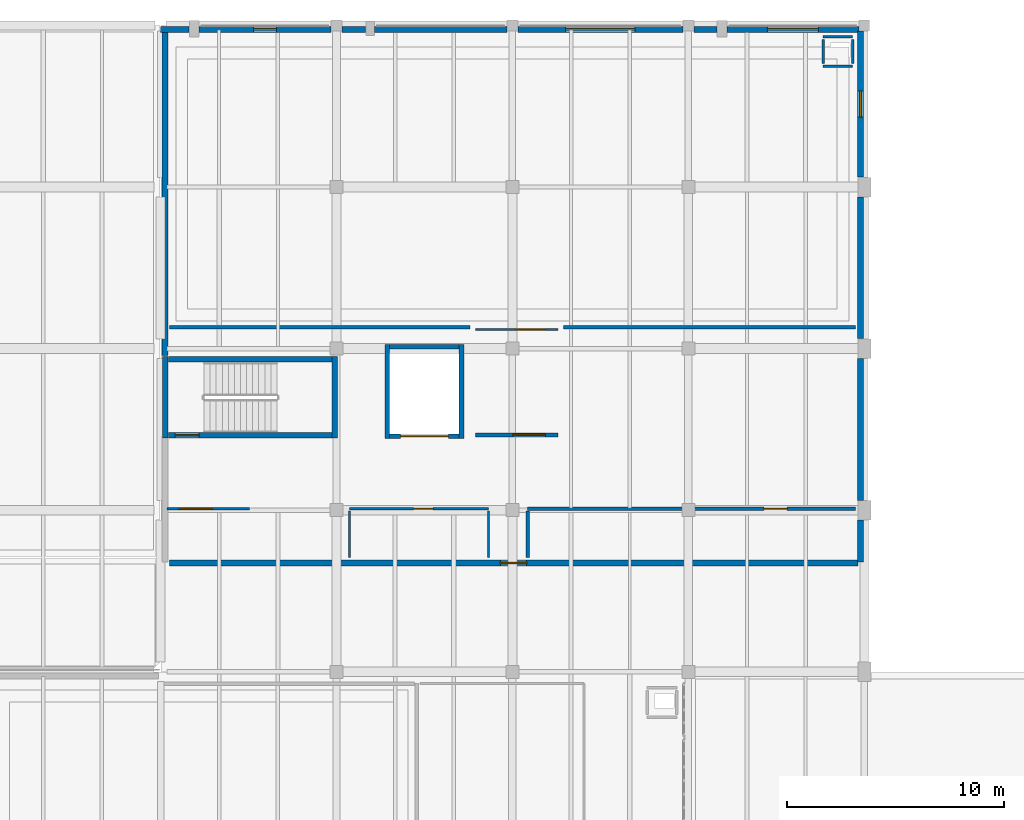
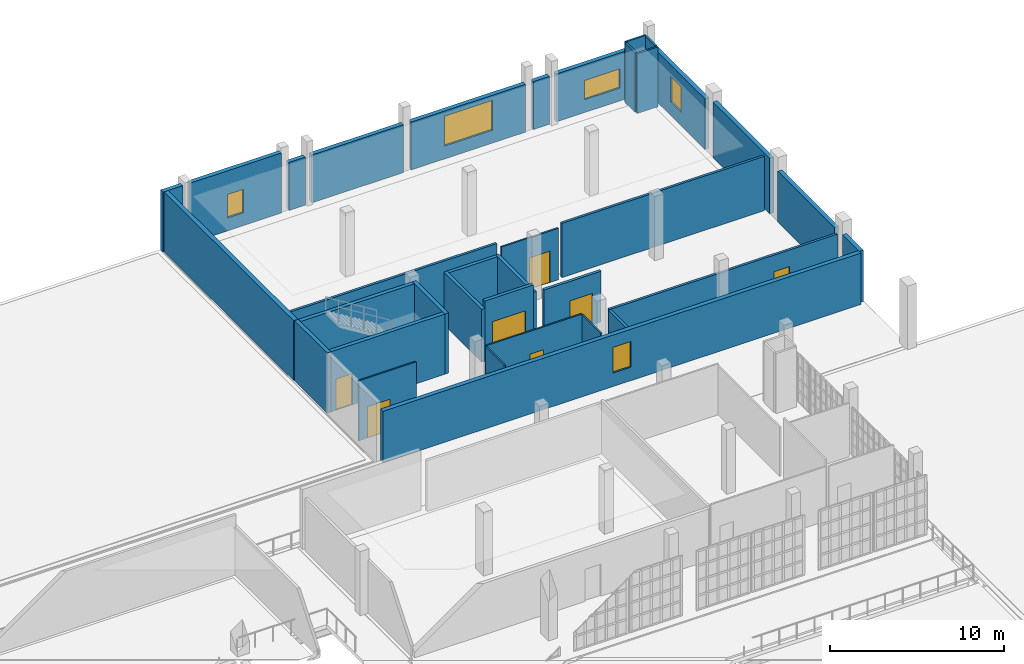
# One storey, part 63 of 73: 35 walls, 7 doors, 5 windows, 12 openings.
"""IFC4 building model written with IfcOpenShell, lengths in metres."""

from ifc_helpers import new_model, si_unit, direction, frame, frame_2d, origin, place, context, subcontext, project, spatial, rectangle, extrude, material, layer, layer_set, type_object, element, fill, save


model = new_model("IFC4")

# Units and contexts
model_context = context("Model", 3, precision=1e-05, world=origin(), true_north=direction((0.0, 1.0)))
body_context = subcontext(model_context, "Body", "Model", "MODEL_VIEW")
ifc_project = project(units=[si_unit("LENGTHUNIT", "METRE"), si_unit("AREAUNIT", "SQUARE_METRE"), si_unit("VOLUMEUNIT", "CUBIC_METRE"), si_unit("PLANEANGLEUNIT", "RADIAN"), si_unit("MASSUNIT", "GRAM", prefix="KILO")], contexts=[model_context])

# Site, building, storey
site_placement = place(None, origin())
site = spatial("IfcSite", under=ifc_project, at=site_placement, CompositionType="ELEMENT")
building_placement = place(site_placement, origin())
building = spatial("IfcBuilding", under=site, at=building_placement, Name="Kaelora Sail Theatre", CompositionType="ELEMENT")
storey_placement = place(building_placement, frame((0.0, 0.0, 10.199951171875)))
storey = spatial("IfcBuildingStorey", under=building, at=storey_placement, Name="L02", CompositionType="ELEMENT", Elevation=10.199951171875)

# Wall, opening, door
ifc_material_1 = material(Name="Concrete C40/50", Category="concrete")
ifc_layer_1 = layer(ifc_material_1, 0.25)
ifc_layer_set_1 = layer_set([ifc_layer_1], Name="Concrete C40/50")
wall_type_1 = type_object("IfcWallType", Name="ARC-WL-CW-250", PredefinedType="SHEAR", material=ifc_layer_set_1)
wall_1_placement = place(storey_placement, frame((99.054931640625, 94.22509765625, 0.0), z_axis=(0.0, 0.0, 1.0), x_axis=(1.0, 0.0, 0.0)))
wall_1 = element("IfcWall", 1, at=wall_1_placement, inside=storey, type_object=wall_type_1, Name="Stair shaft ST-K4 wall L02-S", PredefinedType="SHEAR", context=body_context, shape_type="SweptSolid", body=[
    extrude(rectangle(XDim=7.5400390625, YDim=0.25, at=frame_2d((3.77001953125, 0.0))), origin(), (0.0, 0.0, 1.0), 4.22509765625),
])
opening_1_placement = place(wall_1_placement, frame((0.320068359375, 0.0, 0.0)))
opening_1 = element("IfcOpeningElement", 2, at=opening_1_placement, cuts=wall_1, Name="Opening FD-02", PredefinedType="OPENING", context=body_context, shape_type="SweptSolid", body=[
    extrude(rectangle(XDim=1.10009765625, YDim=2.199951171875, at=frame_2d((0.550048828125, 1.10009765625))), frame((0.0, 0.135, 0.0), z_axis=(0.0, -1.0, 0.0), x_axis=(1.0, 0.0, 0.0)), (0.0, 0.0, 1.0), 0.27),
])
ifc_material_2 = material(Name="Acoustic steel single stair/lobby fire door EI 90-C", Category="steel")
door_type_1 = type_object("IfcDoorType", Name="ARC-DR-FD-02", OperationType="NOTDEFINED", PredefinedType="DOOR", material=ifc_material_2)
door_1_placement = place(opening_1_placement, origin())
door_1 = element("IfcDoor", 3, at=door_1_placement, inside=storey, type_object=door_type_1, Name="Stair ST-K4 door (L02)", OperationType="SINGLE_SWING_LEFT", OverallHeight=2.199951171875, OverallWidth=1.10009765625, PredefinedType="DOOR", context=body_context, shape_type="SweptSolid", body=[
    extrude(rectangle(XDim=1.10009765625, YDim=2.199951171875, at=frame_2d((0.550048828125, 1.10009765625))), frame((0.0, 0.02490234375, 0.0), z_axis=(0.0, -1.0, 0.0), x_axis=(1.0, 0.0, 0.0)), (0.0, 0.0, 1.0), 0.050048828125),
])
fill(opening_1, door_1)

# Walls
wall_2_placement = place(storey_placement, frame((99.054931640625, 97.72509765625, 0.0), z_axis=(0.0, 0.0, 1.0), x_axis=(1.0, 0.0, 0.0)))
element("IfcWall", 4, at=wall_2_placement, inside=storey, type_object=wall_type_1, Name="Stair shaft ST-K4 wall L02-N", PredefinedType="SHEAR", context=body_context, shape_type="SweptSolid", body=[
    extrude(rectangle(XDim=7.5400390625, YDim=0.25, at=frame_2d((3.77001953125, 0.0))), origin(), (0.0, 0.0, 1.0), 4.22509765625),
])
for number, where, z_axis, x_axis, name in (
    (5, (98.925048828125, 94.10009765625, 0.0), (0.0, 0.0, 1.0), (0.0, 1.0, 0.0), "Stair shaft ST-K4 wall L02-W"),
    (6, (106.72509765625, 94.10009765625, 0.0), (0.0, 0.0, 1.0), (0.0, 1.0, 0.0), "Stair shaft ST-K4 wall L02-E"),
):
    element("IfcWall", number, at=place(storey_placement, frame(where, z_axis=z_axis, x_axis=x_axis)), inside=storey, type_object=wall_type_1, Name=name, PredefinedType="SHEAR", context=body_context, shape_type="SweptSolid", body=[
        extrude(rectangle(XDim=3.75, YDim=0.25, at=frame_2d((1.875, 0.0))), origin(), (0.0, 0.0, 1.0), 4.22509765625),
    ])

# Wall, opening, window
ifc_material_3 = material(Name="Precast concrete C45/55", Category="concrete")
ifc_layer_2 = layer(ifc_material_3, 0.280029296875)
ifc_layer_set_2 = layer_set([ifc_layer_2], Name="Precast concrete C45/55")
wall_type_2 = type_object("IfcWallType", Name="ARC-WL-EW-280", PredefinedType="SOLIDWALL", material=ifc_layer_set_2)
wall_3_placement = place(storey_placement, frame((100.47998046875, 112.919921875, 0.0), z_axis=(0.0, 0.0, 1.0), x_axis=(1.0, 0.0, 0.0)))
wall_3 = element("IfcWall", 7, at=wall_3_placement, inside=storey, type_object=wall_type_2, Name="North Conservatory/Production Facade Wall L02 B13", PredefinedType="SOLIDWALL", context=body_context, shape_type="SweptSolid", body=[
    extrude(rectangle(XDim=6.06494140625, YDim=0.280029296875, at=frame_2d((3.032470703125, 0.0))), origin(), (0.0, 0.0, 1.0), 4.205078125),
])
opening_2_placement = place(wall_3_placement, frame((2.507080078125, 0.0, 0.89990234375)))
opening_2 = element("IfcOpeningElement", 8, at=opening_2_placement, cuts=wall_3, Name="Opening W-21", PredefinedType="OPENING", context=body_context, shape_type="SweptSolid", body=[
    extrude(rectangle(XDim=1.050048828125, YDim=1.64990234375, at=frame_2d((0.52490234375, 0.824951171875))), frame((0.0, 0.150137, 0.0), z_axis=(0.0, -1.0, 0.0), x_axis=(1.0, 0.0, 0.0)), (0.0, 0.0, 1.0), 0.300029),
])
ifc_material_4 = material(Name="Thermally broken aluminium and low-E double glazing", Category="aluminium")
window_type_1 = type_object("IfcWindowType", Name="ARC-WIN-W-21", PartitioningType="SINGLE_PANEL", PredefinedType="WINDOW", material=ifc_material_4)
window_1_placement = place(opening_2_placement, origin())
window_1 = element("IfcWindow", 9, at=window_1_placement, inside=storey, type_object=window_type_1, Name="North facade window L02 B13", OverallHeight=1.64990234375, OverallWidth=1.050048828125, PartitioningType="SINGLE_PANEL", PredefinedType="WINDOW", context=body_context, shape_type="SweptSolid", body=[
    extrude(rectangle(XDim=1.050048828125, YDim=1.64990234375, at=frame_2d((0.52490234375, 0.824951171875))), frame((0.0, 0.030029296875, 0.0), z_axis=(0.0, -1.0, 0.0), x_axis=(1.0, 0.0, 0.0)), (0.0, 0.0, 1.0), 0.06005859375),
])
fill(opening_2, window_1)

# Walls
wall_4_placement = place(storey_placement, frame((98.699951171875, 112.919921875, 0.0), z_axis=(0.0, 0.0, 1.0), x_axis=(1.0, 0.0, 0.0)))
element("IfcWall", 10, at=wall_4_placement, inside=storey, type_object=wall_type_2, Name="North Facade Pilaster Spandrel Pier L02 B13", PredefinedType="SOLIDWALL", context=body_context, shape_type="SweptSolid", body=[
    extrude(rectangle(XDim=1.320068359375, YDim=0.280029296875, at=frame_2d((0.66015625, 0.0))), origin(), (0.0, 0.0, 1.0), 4.205078125),
])
wall_5_placement = place(storey_placement, frame((108.554931640625, 112.919921875, 0.0), z_axis=(0.0, 0.0, 1.0), x_axis=(1.0, 0.0, 0.0)))
element("IfcWall", 11, at=wall_5_placement, inside=storey, type_object=wall_type_2, Name="North Conservatory/Production Facade Wall L02 B14", PredefinedType="SOLIDWALL", context=body_context, shape_type="SweptSolid", body=[
    extrude(rectangle(XDim=6.090087890625, YDim=0.280029296875, at=frame_2d((3.044921875, 0.0))), origin(), (0.0, 0.0, 1.0), 3.35693359375),
])
wall_6_placement = place(storey_placement, frame((107.054931640625, 112.919921875, 0.0), z_axis=(0.0, 0.0, 1.0), x_axis=(1.0, 0.0, 0.0)))
element("IfcWall", 12, at=wall_6_placement, inside=storey, type_object=wall_type_2, Name="North Facade Pilaster Spandrel Pier L02 B14", PredefinedType="SOLIDWALL", context=body_context, shape_type="SweptSolid", body=[
    extrude(rectangle(XDim=1.090087890625, YDim=0.280029296875, at=frame_2d((0.544921875, 0.0))), origin(), (0.0, 0.0, 1.0), 3.35693359375),
])

# Wall, opening, window
wall_7_placement = place(storey_placement, frame((115.155029296875, 112.919921875, 0.0), z_axis=(0.0, 0.0, 1.0), x_axis=(1.0, 0.0, 0.0)))
wall_7 = element("IfcWall", 13, at=wall_7_placement, inside=storey, type_object=wall_type_2, Name="North Conservatory/Production Facade Wall L02 B15", PredefinedType="SOLIDWALL", context=body_context, shape_type="SweptSolid", body=[
    extrude(rectangle(XDim=7.590087890625, YDim=0.280029296875, at=frame_2d((3.794921875, 0.0))), origin(), (0.0, 0.0, 1.0), 3.35693359375),
])
opening_3_placement = place(wall_7_placement, frame((2.195068359375, 0.0, 0.89990234375)))
opening_3 = element("IfcOpeningElement", 14, at=opening_3_placement, cuts=wall_7, Name="Opening W-27", PredefinedType="OPENING", context=body_context, shape_type="SweptSolid", body=[
    extrude(rectangle(XDim=3.199951171875, YDim=2.10009765625, at=frame_2d((1.60009765625, 1.050048828125))), frame((0.0, 0.150137, 0.0), z_axis=(0.0, -1.0, 0.0), x_axis=(1.0, 0.0, 0.0)), (0.0, 0.0, 1.0), 0.300029),
])
ifc_material_5 = material(Name="Thermally broken aluminium and low-E double glazing", Category="aluminium")
window_type_2 = type_object("IfcWindowType", Name="ARC-WIN-W-27", PartitioningType="SINGLE_PANEL", PredefinedType="WINDOW", material=ifc_material_5)
window_2_placement = place(opening_3_placement, origin())
window_2 = element("IfcWindow", 15, at=window_2_placement, inside=storey, type_object=window_type_2, Name="North facade window L02 B15", OverallHeight=2.10009765625, OverallWidth=3.199951171875, PartitioningType="SINGLE_PANEL", PredefinedType="WINDOW", context=body_context, shape_type="SweptSolid", body=[
    extrude(rectangle(XDim=3.199951171875, YDim=2.10009765625, at=frame_2d((1.60009765625, 1.050048828125))), frame((0.0, 0.030029296875, 0.0), z_axis=(0.0, -1.0, 0.0), x_axis=(1.0, 0.0, 0.0)), (0.0, 0.0, 1.0), 0.06005859375),
])
fill(opening_3, window_2)

wall_8_placement = place(storey_placement, frame((124.780029296875, 112.919921875, 0.0), z_axis=(0.0, 0.0, 1.0), x_axis=(1.0, 0.0, 0.0)))
wall_8 = element("IfcWall", 16, at=wall_8_placement, inside=storey, type_object=wall_type_2, Name="North Conservatory/Production Facade Wall L02 B16", PredefinedType="SOLIDWALL", context=body_context, shape_type="SweptSolid", body=[
    extrude(rectangle(XDim=6.06494140625, YDim=0.280029296875, at=frame_2d((3.032470703125, 0.0))), origin(), (0.0, 0.0, 1.0), 3.35693359375),
])
opening_4_placement = place(wall_8_placement, frame((1.85693359375, 0.0, 0.89990234375)))
opening_4 = element("IfcOpeningElement", 17, at=opening_4_placement, cuts=wall_8, Name="Opening W-30", PredefinedType="OPENING", context=body_context, shape_type="SweptSolid", body=[
    extrude(rectangle(XDim=2.35009765625, YDim=1.35009765625, at=frame_2d((1.175048828125, 0.675048828125))), frame((0.0, 0.150137, 0.0), z_axis=(0.0, -1.0, 0.0), x_axis=(1.0, 0.0, 0.0)), (0.0, 0.0, 1.0), 0.300029),
])
ifc_material_6 = material(Name="Thermally broken aluminium and low-E double glazing", Category="aluminium")
window_type_3 = type_object("IfcWindowType", Name="ARC-WIN-W-30", PartitioningType="SINGLE_PANEL", PredefinedType="WINDOW", material=ifc_material_6)
window_3_placement = place(opening_4_placement, origin())
window_3 = element("IfcWindow", 18, at=window_3_placement, inside=storey, type_object=window_type_3, Name="North facade window L02 B16", OverallHeight=1.35009765625, OverallWidth=2.35009765625, PartitioningType="SINGLE_PANEL", PredefinedType="WINDOW", context=body_context, shape_type="SweptSolid", body=[
    extrude(rectangle(XDim=2.35009765625, YDim=1.35009765625, at=frame_2d((1.175048828125, 0.675048828125))), frame((0.0, 0.030029296875, 0.0), z_axis=(0.0, -1.0, 0.0), x_axis=(1.0, 0.0, 0.0)), (0.0, 0.0, 1.0), 0.06005859375),
])
fill(opening_4, window_3)

# Walls
wall_9_placement = place(storey_placement, frame((123.2548828125, 112.919921875, 0.0), z_axis=(0.0, 0.0, 1.0), x_axis=(1.0, 0.0, 0.0)))
element("IfcWall", 19, at=wall_9_placement, inside=storey, type_object=wall_type_2, Name="North Facade Pilaster Spandrel Pier L02 B16", PredefinedType="SOLIDWALL", context=body_context, shape_type="SweptSolid", body=[
    extrude(rectangle(XDim=1.065185546875, YDim=0.280029296875, at=frame_2d((0.53271484375, 0.0))), origin(), (0.0, 0.0, 1.0), 3.35693359375),
])
wall_10_placement = place(storey_placement, frame((98.909912109375, 97.89990234375, 0.0), z_axis=(0.0, 0.0, 1.0), x_axis=(0.0, 1.0, 0.0)))
element("IfcWall", 20, at=wall_10_placement, inside=storey, type_object=wall_type_2, Name="Stepped Wing Facade Wall STEP-NW4-WN-L02", PredefinedType="SOLIDWALL", context=body_context, shape_type="SweptSolid", body=[
    extrude(rectangle(XDim=15.050048828125, YDim=0.280029296875, at=frame_2d((7.52490234375, 0.0))), origin(), (0.0, 0.0, 1.0), 4.205078125),
])
wall_11_placement = place(storey_placement, frame((130.919921875, 88.39990234375, 0.0), z_axis=(0.0, 0.0, 1.0), x_axis=(0.0, 1.0, 0.0)))
element("IfcWall", 21, at=wall_11_placement, inside=storey, type_object=wall_type_2, Name="Stepped Wing Facade Wall STEP-NW4-E-L02-S1", PredefinedType="SOLIDWALL", context=body_context, shape_type="SweptSolid", body=[
    extrude(rectangle(XDim=1.925048828125, YDim=0.280029296875, at=frame_2d((0.96240234375, 0.0))), origin(), (0.0, 0.0, 1.0), 3.60693359375),
])
wall_12_placement = place(storey_placement, frame((130.919921875, 91.235107421875, 0.0), z_axis=(0.0, 0.0, 1.0), x_axis=(0.0, 1.0, 0.0)))
element("IfcWall", 22, at=wall_12_placement, inside=storey, type_object=wall_type_2, Name="Stepped Wing Facade Wall STEP-NW4-E-L02-S2", PredefinedType="SOLIDWALL", context=body_context, shape_type="SweptSolid", body=[
    extrude(rectangle(XDim=6.52978515625, YDim=0.280029296875, at=frame_2d((3.264892578125, 0.0))), origin(), (0.0, 0.0, 1.0), 3.55712890625),
])
wall_13_placement = place(storey_placement, frame((130.919921875, 98.675048828125, 0.0), z_axis=(0.0, 0.0, 1.0), x_axis=(0.0, 1.0, 0.0)))
element("IfcWall", 23, at=wall_13_placement, inside=storey, type_object=wall_type_2, Name="Stepped Wing Facade Wall STEP-NW4-E-L02-S3", PredefinedType="SOLIDWALL", context=body_context, shape_type="SweptSolid", body=[
    extrude(rectangle(XDim=6.530029296875, YDim=0.280029296875, at=frame_2d((3.26513671875, 0.0))), origin(), (0.0, 0.0, 1.0), 3.89697265625),
])

# Wall, opening, window
wall_14_placement = place(storey_placement, frame((130.919921875, 106.114990234375, 0.0), z_axis=(0.0, 0.0, 1.0), x_axis=(0.0, 1.0, 0.0)))
wall_14 = element("IfcWall", 24, at=wall_14_placement, inside=storey, type_object=wall_type_2, Name="Stepped Wing Facade Wall STEP-NW4-E-L02-S4", PredefinedType="SOLIDWALL", context=body_context, shape_type="SweptSolid", body=[
    extrude(rectangle(XDim=6.72998046875, YDim=0.280029296875, at=frame_2d((3.364990234375, 0.0))), origin(), (0.0, 0.0, 1.0), 3.55712890625),
])
opening_5_placement = place(wall_14_placement, frame((2.764892578125, 0.0, 0.949951171875)))
opening_5 = element("IfcOpeningElement", 25, at=opening_5_placement, cuts=wall_14, Name="Opening W-05", PredefinedType="OPENING", context=body_context, shape_type="SweptSolid", body=[
    extrude(rectangle(XDim=1.199951171875, YDim=1.800048828125, at=frame_2d((0.60009765625, 0.89990234375))), frame((0.0, 0.150137, 0.0), z_axis=(0.0, -1.0, 0.0), x_axis=(1.0, 0.0, 0.0)), (0.0, 0.0, 1.0), 0.300029),
])
ifc_material_7 = material(Name="Thermally broken aluminium and low-E double glazing", Category="aluminium")
window_type_4 = type_object("IfcWindowType", Name="ARC-WIN-W-05", PartitioningType="SINGLE_PANEL", PredefinedType="WINDOW", material=ifc_material_7)
window_4_placement = place(opening_5_placement, origin())
window_4 = element("IfcWindow", 26, at=window_4_placement, inside=storey, type_object=window_type_4, Name="Stepped Wing Window STEP-NW4-E-L02-S4", OverallHeight=1.800048828125, OverallWidth=1.199951171875, PartitioningType="SINGLE_PANEL", PredefinedType="WINDOW", context=body_context, shape_type="SweptSolid", body=[
    extrude(rectangle(XDim=1.199951171875, YDim=1.800048828125, at=frame_2d((0.60009765625, 0.89990234375))), frame((0.0, 0.030029296875, 0.0), z_axis=(0.0, -1.0, 0.0), x_axis=(1.0, 0.0, 0.0)), (0.0, 0.0, 1.0), 0.06005859375),
])
fill(opening_5, window_4)

wall_15_placement = place(storey_placement, frame((99.10009765625, 88.35009765625, 0.0), z_axis=(0.0, 0.0, 1.0), x_axis=(1.0, 0.0, 0.0)))
wall_15 = element("IfcWall", 27, at=wall_15_placement, inside=storey, type_object=wall_type_2, Name="Stepped Wing Facade Wall SWAL-NW4-L02", PredefinedType="SOLIDWALL", context=body_context, shape_type="SweptSolid", body=[
    extrude(rectangle(XDim=31.699951171875, YDim=0.280029296875, at=frame_2d((15.85009765625, 0.0))), origin(), (0.0, 0.0, 1.0), 3.60693359375),
])
opening_6_placement = place(wall_15_placement, frame((15.25, 0.0, 0.949951171875)))
opening_6 = element("IfcOpeningElement", 28, at=opening_6_placement, cuts=wall_15, Name="Opening W-05", PredefinedType="OPENING", context=body_context, shape_type="SweptSolid", body=[
    extrude(rectangle(XDim=1.199951171875, YDim=1.800048828125, at=frame_2d((0.60009765625, 0.89990234375))), frame((0.0, 0.150137, 0.0), z_axis=(0.0, -1.0, 0.0), x_axis=(1.0, 0.0, 0.0)), (0.0, 0.0, 1.0), 0.300029),
])
window_5_placement = place(opening_6_placement, origin())
window_5 = element("IfcWindow", 29, at=window_5_placement, inside=storey, type_object=window_type_4, Name="Stepped Wing Window SWAL-NW4-L02", OverallHeight=1.800048828125, OverallWidth=1.199951171875, PartitioningType="SINGLE_PANEL", PredefinedType="WINDOW", context=body_context, shape_type="SweptSolid", body=[
    extrude(rectangle(XDim=1.199951171875, YDim=1.800048828125, at=frame_2d((0.60009765625, 0.89990234375))), frame((0.0, 0.030029296875, 0.0), z_axis=(0.0, -1.0, 0.0), x_axis=(1.0, 0.0, 0.0)), (0.0, 0.0, 1.0), 0.06005859375),
])
fill(opening_6, window_5)

# Wall, opening, door
ifc_material_8 = material(Name="Sanitary moisture-resistant partition 100 mm", Category="gypsum")
ifc_layer_3 = layer(ifc_material_8, 0.10009765625)
ifc_layer_set_3 = layer_set([ifc_layer_3], Name="Sanitary moisture-resistant partition 100 mm")
wall_type_3 = type_object("IfcWallType", Name="ARC-WL-PT-100", PredefinedType="PARTITIONING", material=ifc_layer_set_3)
wall_16_placement = place(storey_placement, frame((98.989990234375, 90.85009765625, 0.0), z_axis=(0.0, 0.0, 1.0), x_axis=(1.0, 0.0, 0.0)))
wall_16 = element("IfcWall", 30, at=wall_16_placement, inside=storey, type_object=wall_type_3, Name="Interior acoustic partition L02-COR-NLINKE/L02-COR-NW4", PredefinedType="PARTITIONING", context=body_context, shape_type="SweptSolid", body=[
    extrude(rectangle(XDim=3.81005859375, YDim=0.10009765625, at=frame_2d((1.905029296875, 0.0))), origin(), (0.0, 0.0, 1.0), 4.205078125),
])
opening_7_placement = place(wall_16_placement, frame((0.580078125, 0.0, 0.0)))
opening_7 = element("IfcOpeningElement", 31, at=opening_7_placement, cuts=wall_16, Name="Opening FD-01", PredefinedType="OPENING", context=body_context, shape_type="SweptSolid", body=[
    extrude(rectangle(XDim=1.5, YDim=2.199951171875, at=frame_2d((0.75, 1.10009765625))), frame((0.0, 0.060049, 0.0), z_axis=(0.0, -1.0, 0.0), x_axis=(1.0, 0.0, 0.0)), (0.0, 0.0, 1.0), 0.120098),
])
ifc_material_9 = material(Name="Acoustic steel double fire door EI 90-C", Category="steel")
door_type_2 = type_object("IfcDoorType", Name="ARC-DR-FD-01", OperationType="NOTDEFINED", PredefinedType="DOOR", material=ifc_material_9)
door_2_placement = place(opening_7_placement, origin())
door_2 = element("IfcDoor", 32, at=door_2_placement, inside=storey, type_object=door_type_2, Name="Interior door L02-COR-NLINKE to L02-COR-NW4", OperationType="DOUBLE_DOOR_SINGLE_SWING", OverallHeight=2.199951171875, OverallWidth=1.5, PredefinedType="DOOR", context=body_context, shape_type="SweptSolid", body=[
    extrude(rectangle(XDim=1.5, YDim=2.199951171875, at=frame_2d((0.75, 1.10009765625))), frame((0.0, 0.02490234375, 0.0), z_axis=(0.0, -1.0, 0.0), x_axis=(1.0, 0.0, 0.0)), (0.0, 0.0, 1.0), 0.050048828125),
])
fill(opening_7, door_2)

wall_17_placement = place(storey_placement, frame((107.39990234375, 90.85009765625, 0.0), z_axis=(0.0, 0.0, 1.0), x_axis=(1.0, 0.0, 0.0)))
wall_17 = element("IfcWall", 33, at=wall_17_placement, inside=storey, type_object=wall_type_3, Name="Interior acoustic partition L02-COR-NW4/L02-WC-REHACC", PredefinedType="PARTITIONING", context=body_context, shape_type="SweptSolid", body=[
    extrude(rectangle(XDim=6.400146484375, YDim=0.10009765625, at=frame_2d((3.2001953125, 0.0))), origin(), (0.0, 0.0, 1.0), 3.70703125),
])
opening_8_placement = place(wall_17_placement, frame((2.947021484375, 0.0, 0.0)))
opening_8 = element("IfcOpeningElement", 34, at=opening_8_placement, cuts=wall_17, Name="Opening ID-03", PredefinedType="OPENING", context=body_context, shape_type="SweptSolid", body=[
    extrude(rectangle(XDim=0.89990234375, YDim=2.10009765625, at=frame_2d((0.449951171875, 1.050048828125))), frame((0.0, 0.060049, 0.0), z_axis=(0.0, -1.0, 0.0), x_axis=(1.0, 0.0, 0.0)), (0.0, 0.0, 1.0), 0.120098),
])
ifc_material_10 = material(Name="Accessible sanitary laminate door", Category="timber")
door_type_3 = type_object("IfcDoorType", Name="ARC-DR-ID-03", OperationType="NOTDEFINED", PredefinedType="DOOR", material=ifc_material_10)
door_3_placement = place(opening_8_placement, origin())
door_3 = element("IfcDoor", 35, at=door_3_placement, inside=storey, type_object=door_type_3, Name="Interior door L02-COR-NW4 to L02-WC-REHACC", OperationType="SINGLE_SWING_LEFT", OverallHeight=2.10009765625, OverallWidth=0.89990234375, PredefinedType="DOOR", context=body_context, shape_type="SweptSolid", body=[
    extrude(rectangle(XDim=0.89990234375, YDim=2.10009765625, at=frame_2d((0.449951171875, 1.050048828125))), frame((0.0, 0.02490234375, 0.0), z_axis=(0.0, -1.0, 0.0), x_axis=(1.0, 0.0, 0.0)), (0.0, 0.0, 1.0), 0.050048828125),
])
fill(opening_8, door_3)

# Walls
for number, where, z_axis, x_axis, name in (
    (36, (107.39990234375, 88.60009765625, 0.0), (0.0, 0.0, 1.0), (0.0, 1.0, 0.0), "Room enclosure wall L02-WC-REHACC-W1"),
    (37, (113.800048828125, 88.60009765625, 0.0), (0.0, 0.0, 1.0), (0.0, 1.0, 0.0), "Room enclosure wall L02-WC-REHACC-E1"),
):
    element("IfcWall", number, at=place(storey_placement, frame(where, z_axis=z_axis, x_axis=x_axis)), inside=storey, type_object=wall_type_3, Name=name, PredefinedType="PARTITIONING", context=body_context, shape_type="SweptSolid", body=[
        extrude(rectangle(XDim=2.14990234375, YDim=0.10009765625, at=frame_2d((1.074951171875, 0.0))), origin(), (0.0, 0.0, 1.0), 3.70703125),
    ])

# Wall, opening, door
ifc_material_11 = material(Name="Office acoustic stud partition 110 mm", Category="gypsum")
ifc_layer_4 = layer(ifc_material_11, 0.110107421875)
ifc_layer_set_4 = layer_set([ifc_layer_4], Name="Office acoustic stud partition 110 mm")
wall_type_4 = type_object("IfcWallType", Name="ARC-WL-PT-110", PredefinedType="PARTITIONING", material=ifc_layer_set_4)
wall_18_placement = place(storey_placement, frame((113.199951171875, 99.10009765625, 0.0), z_axis=(0.0, 0.0, 1.0), x_axis=(1.0, 0.0, 0.0)))
wall_18 = element("IfcWall", 38, at=wall_18_placement, inside=storey, type_object=wall_type_4, Name="Interior acoustic partition L02-COR-SP4/L02-REC-STUD", PredefinedType="PARTITIONING", context=body_context, shape_type="SweptSolid", body=[
    extrude(rectangle(XDim=3.800048828125, YDim=0.110107421875, at=frame_2d((1.89990234375, 0.0))), origin(), (0.0, 0.0, 1.0), 3.60693359375),
])
opening_9_placement = place(wall_18_placement, frame((1.8701171875, 0.0, 0.0)))
opening_9 = element("IfcOpeningElement", 39, at=opening_9_placement, cuts=wall_18, Name="Opening ID-08", PredefinedType="OPENING", context=body_context, shape_type="SweptSolid", body=[
    extrude(rectangle(XDim=1.35009765625, YDim=2.199951171875, at=frame_2d((0.675048828125, 1.10009765625))), frame((0.0, 0.065176, 0.0), z_axis=(0.0, -1.0, 0.0), x_axis=(1.0, 0.0, 0.0)), (0.0, 0.0, 1.0), 0.130107),
])
ifc_material_12 = material(Name="Instrument & libretto leaf-and-a-half door", Category="steel")
door_type_4 = type_object("IfcDoorType", Name="ARC-DR-ID-08", OperationType="NOTDEFINED", PredefinedType="DOOR", material=ifc_material_12)
door_4_placement = place(opening_9_placement, origin())
door_4 = element("IfcDoor", 40, at=door_4_placement, inside=storey, type_object=door_type_4, Name="Interior door L02-COR-SP4 to L02-REC-STUD", OperationType="SINGLE_SWING_RIGHT", OverallHeight=2.199951171875, OverallWidth=1.35009765625, PredefinedType="DOOR", context=body_context, shape_type="SweptSolid", body=[
    extrude(rectangle(XDim=1.35009765625, YDim=2.199951171875, at=frame_2d((0.675048828125, 1.10009765625))), frame((0.0, 0.02490234375, 0.0), z_axis=(0.0, -1.0, 0.0), x_axis=(1.0, 0.0, 0.0)), (0.0, 0.0, 1.0), 0.050048828125),
])
fill(opening_9, door_4)

# Walls
ifc_material_13 = material(Name="Standard metal-stud partition 120 mm", Category="gypsum")
ifc_layer_5 = layer(ifc_material_13, 0.1201171875)
ifc_layer_set_5 = layer_set([ifc_layer_5], Name="Standard metal-stud partition 120 mm")
wall_type_5 = type_object("IfcWallType", Name="ARC-WL-PT-120", PredefinedType="PARTITIONING", material=ifc_layer_set_5)
for number, where, z_axis, x_axis, name in (
    (41, (129.205078125, 111.219970703125, 0.0), (0.0, 0.0, 1.0), (1.0, 0.0, 0.0), "MEP riser shaft wall NW4-L02-S"),
    (42, (129.205078125, 112.580078125, 0.0), (0.0, 0.0, 1.0), (1.0, 0.0, 0.0), "MEP riser shaft wall NW4-L02-N"),
):
    element("IfcWall", number, at=place(storey_placement, frame(where, z_axis=z_axis, x_axis=x_axis)), inside=storey, type_object=wall_type_5, Name=name, PredefinedType="PARTITIONING", context=body_context, shape_type="SweptSolid", body=[
        extrude(rectangle(XDim=1.35986328125, YDim=0.1201171875, at=frame_2d((0.679931640625, 0.0))), origin(), (0.0, 0.0, 1.0), 4.205078125),
    ])
for number, where, z_axis, x_axis, name in (
    (43, (129.205078125, 111.340087890625, 0.0), (0.0, 0.0, 1.0), (0.0, 1.0, 0.0), "MEP riser shaft wall NW4-L02-W"),
    (44, (130.56494140625, 111.340087890625, 0.0), (0.0, 0.0, 1.0), (0.0, 1.0, 0.0), "MEP riser shaft wall NW4-L02-E"),
):
    element("IfcWall", number, at=place(storey_placement, frame(where, z_axis=z_axis, x_axis=x_axis)), inside=storey, type_object=wall_type_5, Name=name, PredefinedType="PARTITIONING", context=body_context, shape_type="SweptSolid", body=[
        extrude(rectangle(XDim=1.119873046875, YDim=0.1201171875, at=frame_2d((0.56005859375, 0.0))), origin(), (0.0, 0.0, 1.0), 4.205078125),
    ])

# Wall, opening, door
ifc_material_14 = material(Name="Acoustic metal-stud plasterboard 160 mm", Category="gypsum")
ifc_layer_6 = layer(ifc_material_14, 0.159912109375)
ifc_layer_set_6 = layer_set([ifc_layer_6], Name="Acoustic metal-stud plasterboard 160 mm")
wall_type_6 = type_object("IfcWallType", Name="ARC-WL-PT-160", PredefinedType="PARTITIONING", material=ifc_layer_set_6)
wall_19_placement = place(storey_placement, frame((115.60009765625, 90.85009765625, 0.0), z_axis=(0.0, 0.0, 1.0), x_axis=(1.0, 0.0, 0.0)))
wall_19 = element("IfcWall", 45, at=wall_19_placement, inside=storey, type_object=wall_type_6, Name="Interior acoustic partition L02-COR-NW4/L02-FOLEY-S", PredefinedType="PARTITIONING", context=body_context, shape_type="SweptSolid", body=[
    extrude(rectangle(XDim=15.099853515625, YDim=0.159912109375, at=frame_2d((7.5498046875, 0.0))), origin(), (0.0, 0.0, 1.0), 3.406982421875),
])
opening_10_placement = place(wall_19_placement, frame((10.89208984375, 0.0, 0.0)))
opening_10 = element("IfcOpeningElement", 46, at=opening_10_placement, cuts=wall_19, Name="Opening ID-06", PredefinedType="OPENING", context=body_context, shape_type="SweptSolid", body=[
    extrude(rectangle(XDim=1.050048828125, YDim=2.25, at=frame_2d((0.52490234375, 1.125))), frame((0.0, 0.090078, 0.0), z_axis=(0.0, -1.0, 0.0), x_axis=(1.0, 0.0, 0.0)), (0.0, 0.0, 1.0), 0.179912),
])
ifc_material_15 = material(Name="Soloist dressing acoustic timber door", Category="wood")
door_type_5 = type_object("IfcDoorType", Name="ARC-DR-ID-06", OperationType="NOTDEFINED", PredefinedType="DOOR", material=ifc_material_15)
door_5_placement = place(opening_10_placement, origin())
door_5 = element("IfcDoor", 47, at=door_5_placement, inside=storey, type_object=door_type_5, Name="Interior door L02-COR-NW4 to L02-FOLEY-S", OperationType="SINGLE_SWING_LEFT", OverallHeight=2.25, OverallWidth=1.050048828125, PredefinedType="DOOR", context=body_context, shape_type="SweptSolid", body=[
    extrude(rectangle(XDim=1.050048828125, YDim=2.25, at=frame_2d((0.52490234375, 1.125))), frame((0.0, 0.02490234375, 0.0), z_axis=(0.0, -1.0, 0.0), x_axis=(1.0, 0.0, 0.0)), (0.0, 0.0, 1.0), 0.050048828125),
])
fill(opening_10, door_5)

# Walls
wall_20_placement = place(storey_placement, frame((115.60009765625, 88.60009765625, 0.0), z_axis=(0.0, 0.0, 1.0), x_axis=(0.0, 1.0, 0.0)))
element("IfcWall", 48, at=wall_20_placement, inside=storey, type_object=wall_type_6, Name="Room enclosure wall L02-FOLEY-S-W1", PredefinedType="PARTITIONING", context=body_context, shape_type="SweptSolid", body=[
    extrude(rectangle(XDim=2.14990234375, YDim=0.159912109375, at=frame_2d((1.074951171875, 0.0))), origin(), (0.0, 0.0, 1.0), 3.406982421875),
])
wall_21_placement = place(storey_placement, frame((99.10009765625, 99.199951171875, 0.0), z_axis=(0.0, 0.0, 1.0), x_axis=(1.0, 0.0, 0.0)))
element("IfcWall", 49, at=wall_21_placement, inside=storey, type_object=wall_type_6, Name="Room enclosure wall L02-REC-STUD-S1", PredefinedType="PARTITIONING", context=body_context, shape_type="SweptSolid", body=[
    extrude(rectangle(XDim=13.849853515625, YDim=0.159912109375, at=frame_2d((6.9248046875, 0.0))), origin(), (0.0, 0.0, 1.0), 3.89697265625),
])
wall_22_placement = place(storey_placement, frame((117.25, 99.199951171875, 0.0), z_axis=(0.0, 0.0, 1.0), x_axis=(1.0, 0.0, 0.0)))
element("IfcWall", 50, at=wall_22_placement, inside=storey, type_object=wall_type_6, Name="Room enclosure wall L02-REC-STUD-S2", PredefinedType="PARTITIONING", context=body_context, shape_type="SweptSolid", body=[
    extrude(rectangle(XDim=13.449951171875, YDim=0.159912109375, at=frame_2d((6.72509765625, 0.0))), origin(), (0.0, 0.0, 1.0), 3.80712890625),
])

# Wall, opening, door
ifc_material_16 = material(Name="Rehearsal double-stud partition 185 mm", Category="gypsum")
ifc_layer_7 = layer(ifc_material_16, 0.18505859375)
ifc_layer_set_7 = layer_set([ifc_layer_7], Name="Rehearsal double-stud partition 185 mm")
wall_type_7 = type_object("IfcWallType", Name="ARC-WL-PT-185", PredefinedType="PARTITIONING", material=ifc_layer_set_7)
wall_23_placement = place(storey_placement, frame((113.199951171875, 94.25, 0.0), z_axis=(0.0, 0.0, 1.0), x_axis=(1.0, 0.0, 0.0)))
wall_23 = element("IfcWall", 51, at=wall_23_placement, inside=storey, type_object=wall_type_7, Name="Interior acoustic partition L02-COR-NW4/L02-COR-SP4", PredefinedType="PARTITIONING", context=body_context, shape_type="SweptSolid", body=[
    extrude(rectangle(XDim=3.800048828125, YDim=0.18505859375, at=frame_2d((1.89990234375, 0.0))), origin(), (0.0, 0.0, 1.0), 3.55712890625),
])
opening_11_placement = place(wall_23_placement, frame((1.719970703125, 0.0, 0.0)))
opening_11 = element("IfcOpeningElement", 52, at=opening_11_placement, cuts=wall_23, Name="Opening FD-01", PredefinedType="OPENING", context=body_context, shape_type="SweptSolid", body=[
    extrude(rectangle(XDim=1.5, YDim=2.199951171875, at=frame_2d((0.75, 1.10009765625))), frame((0.0, 0.102529, 0.0), z_axis=(0.0, -1.0, 0.0), x_axis=(1.0, 0.0, 0.0)), (0.0, 0.0, 1.0), 0.205059),
])
door_6_placement = place(opening_11_placement, origin())
door_6 = element("IfcDoor", 53, at=door_6_placement, inside=storey, type_object=door_type_2, Name="Interior door L02-COR-NW4 to L02-COR-SP4", OperationType="DOUBLE_DOOR_SINGLE_SWING", OverallHeight=2.199951171875, OverallWidth=1.5, PredefinedType="DOOR", context=body_context, shape_type="SweptSolid", body=[
    extrude(rectangle(XDim=1.5, YDim=2.199951171875, at=frame_2d((0.75, 1.10009765625))), frame((0.0, 0.02490234375, 0.0), z_axis=(0.0, -1.0, 0.0), x_axis=(1.0, 0.0, 0.0)), (0.0, 0.0, 1.0), 0.050048828125),
])
fill(opening_11, door_6)

ifc_material_17 = material(Name="Concrete C40/50", Category="concrete")
ifc_layer_8 = layer(ifc_material_17, 0.219970703125)
ifc_layer_set_8 = layer_set([ifc_layer_8], Name="Concrete C40/50")
wall_type_8 = type_object("IfcWallType", Name="ARC-WL-SW-220", PredefinedType="SOLIDWALL", material=ifc_layer_set_8)
wall_24_placement = place(storey_placement, frame((109.25, 94.18994140625, 0.0), z_axis=(0.0, 0.0, 1.0), x_axis=(1.0, 0.0, 0.0)))
wall_24 = element("IfcWall", 54, at=wall_24_placement, inside=storey, type_object=wall_type_8, Name="Lift GL-01 shaft wall L02-S", PredefinedType="SOLIDWALL", context=body_context, shape_type="SweptSolid", body=[
    extrude(rectangle(XDim=3.199951171875, YDim=0.219970703125, at=frame_2d((1.60009765625, 0.0))), origin(), (0.0, 0.0, 1.0), 4.22509765625),
])
opening_12_placement = place(wall_24_placement, frame((0.5, 0.0, 0.0)))
opening_12 = element("IfcOpeningElement", 55, at=opening_12_placement, cuts=wall_24, Name="Opening LD-GDS", PredefinedType="OPENING", context=body_context, shape_type="SweptSolid", body=[
    extrude(rectangle(XDim=2.199951171875, YDim=2.60009765625, at=frame_2d((1.10009765625, 1.300048828125))), frame((0.0, 0.119863, 0.0), z_axis=(0.0, -1.0, 0.0), x_axis=(1.0, 0.0, 0.0)), (0.0, 0.0, 1.0), 0.239971),
])
ifc_material_18 = material(Name="Heavy-duty scenery goods lift bi-parting landing door EI 120", Category="steel")
door_type_6 = type_object("IfcDoorType", Name="ARC-DR-LD-GDS", OperationType="NOTDEFINED", PredefinedType="DOOR", material=ifc_material_18)
door_7_placement = place(opening_12_placement, origin())
door_7 = element("IfcDoor", 56, at=door_7_placement, inside=storey, type_object=door_type_6, Name="Lift GL-01 sliding landing door (L02)", OperationType="SLIDING_TO_LEFT", OverallHeight=2.60009765625, OverallWidth=2.199951171875, PredefinedType="DOOR", context=body_context, shape_type="SweptSolid", body=[
    extrude(rectangle(XDim=2.199951171875, YDim=2.60009765625, at=frame_2d((1.10009765625, 1.300048828125))), frame((0.0, 0.02490234375, 0.0), z_axis=(0.0, -1.0, 0.0), x_axis=(1.0, 0.0, 0.0)), (0.0, 0.0, 1.0), 0.050048828125),
])
fill(opening_12, door_7)

# Walls
wall_25_placement = place(storey_placement, frame((109.25, 98.31005859375, 0.0), z_axis=(0.0, 0.0, 1.0), x_axis=(1.0, 0.0, 0.0)))
element("IfcWall", 57, at=wall_25_placement, inside=storey, type_object=wall_type_8, Name="Lift GL-01 shaft wall L02-N", PredefinedType="SOLIDWALL", context=body_context, shape_type="SweptSolid", body=[
    extrude(rectangle(XDim=3.199951171875, YDim=0.219970703125, at=frame_2d((1.60009765625, 0.0))), origin(), (0.0, 0.0, 1.0), 3.70703125),
])
for number, where, z_axis, x_axis, name in (
    (58, (109.139892578125, 94.080078125, 0.0), (0.0, 0.0, 1.0), (0.0, 1.0, 0.0), "Lift GL-01 shaft wall L02-W"),
    (59, (112.56005859375, 94.080078125, 0.0), (0.0, 0.0, 1.0), (0.0, 1.0, 0.0), "Lift GL-01 shaft wall L02-E"),
):
    element("IfcWall", number, at=place(storey_placement, frame(where, z_axis=z_axis, x_axis=x_axis)), inside=storey, type_object=wall_type_8, Name=name, PredefinedType="SOLIDWALL", context=body_context, shape_type="SweptSolid", body=[
        extrude(rectangle(XDim=4.33984375, YDim=0.219970703125, at=frame_2d((2.169921875, 0.0))), origin(), (0.0, 0.0, 1.0), 3.70703125),
    ])

save(model, "model.ifc")
